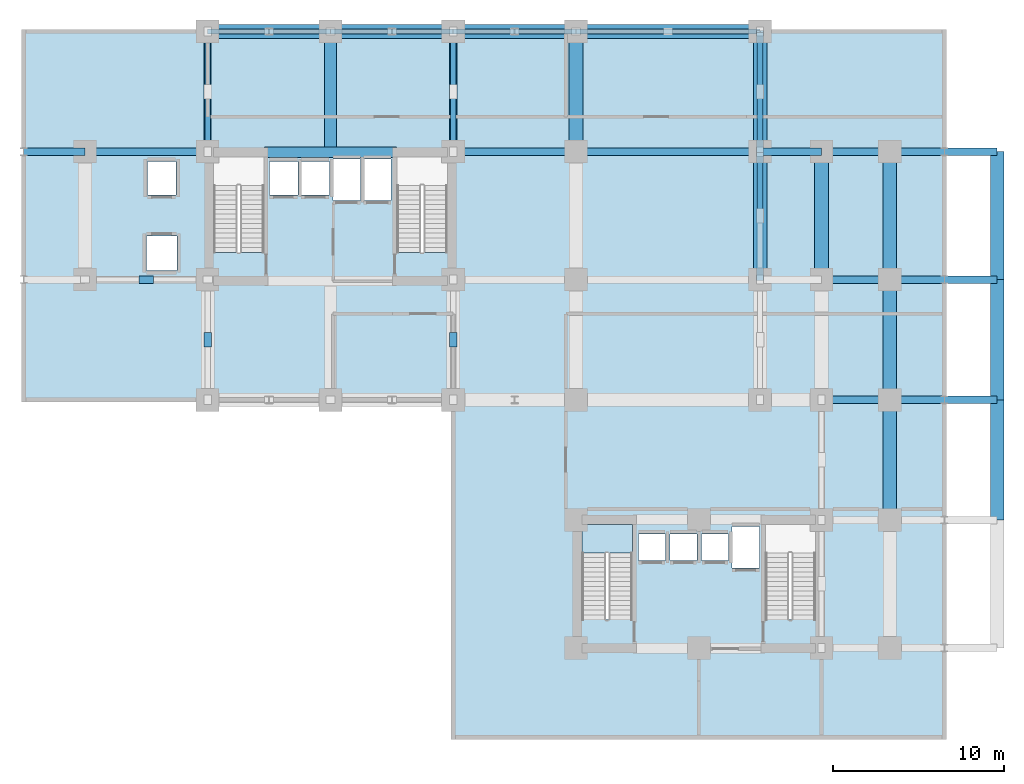
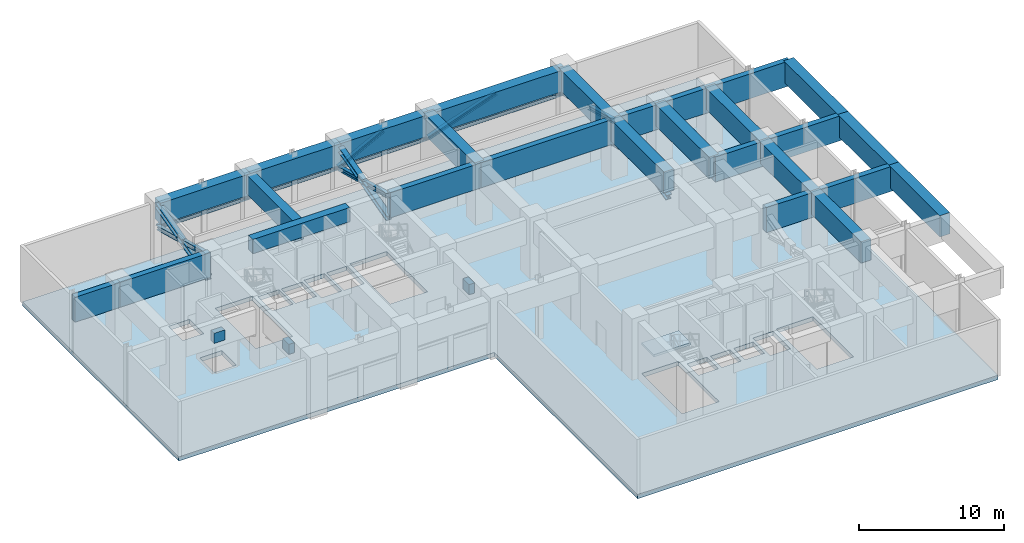
# One storey, part 2 of 8: 24 beams, 23 members, 3 plates, 2 slabs, 1 element without a shape of its own.
"""IFC4 building model written with IfcOpenShell, lengths in metres."""

from ifc_helpers import new_model, si_unit, direction, frame, origin, origin_2d, place, context, subcontext, project, spatial, polyline, rectangle, i_section, outline, extrude, source, transform, mapped, material, layer, layer_set, material_profile, profile_set, type_object, element, aggregate, save


model = new_model("IFC4")

# Units and contexts
model_context = context("Model", 3, precision=1e-05, world=origin(), true_north=direction((0.0, 1.0)))
body_context = subcontext(model_context, "Body", "Model", "MODEL_VIEW")
ifc_project = project(units=[si_unit("LENGTHUNIT", "METRE"), si_unit("AREAUNIT", "SQUARE_METRE"), si_unit("VOLUMEUNIT", "CUBIC_METRE"), si_unit("PLANEANGLEUNIT", "RADIAN"), si_unit("MASSUNIT", "GRAM", prefix="KILO")], contexts=[model_context])

# Site, building, storey
site_placement = place(None, origin())
site = spatial("IfcSite", under=ifc_project, at=site_placement, CompositionType="ELEMENT")
building_placement = place(site_placement, origin())
building = spatial("IfcBuilding", under=site, at=building_placement, Name="Kaliganga Portal Commons", CompositionType="ELEMENT")
storey_placement = place(building_placement, frame((0.0, 0.0, 73.39990234375)))
storey = spatial("IfcBuildingStorey", under=building, at=storey_placement, Name="L18", CompositionType="ELEMENT", Elevation=73.39990234375)

# Beams
ifc_material_1 = material(Name="Concrete C60/75", Category="concrete")
ifc_material_profile_1 = material_profile(ifc_material_1, rectangle(XDim=0.60009765625, YDim=1.199951171875, at=origin_2d()), Name="RC 600x1200")
ifc_profile_set_1 = profile_set([ifc_material_profile_1], Name="Concrete C60/75")
beam_type_1 = type_object("IfcBeamType", Name="BM-CPL-1200", PredefinedType="LINTEL", material=ifc_profile_set_1)
shared_shape_1 = source(origin(), body_context, "Body", "SweptSolid", [
    extrude(rectangle(XDim=0.60009765625, YDim=1.199951171875, at=origin_2d()), origin(), (0.0, 0.0, 1.0), 7.739990234375),
])
beam_1_placement = place(storey_placement, frame((17.72998046875, 36.125, 4.18017578125), z_axis=(1.0, 0.0, 0.0), x_axis=(0.0, 1.0, 0.0)))
element("IfcBeam", 1, at=beam_1_placement, inside=storey, type_object=beam_type_1, Name="BM CPL COREA L18 N", PredefinedType="LINTEL", context=body_context, shape_type="MappedRepresentation", body=[
    mapped(shared_shape_1, transform((0.0, 0.0, 0.0), x_axis=(1.0, 0.0, 0.0), y_axis=(0.0, 1.0, 0.0), z_axis=(0.0, 0.0, 1.0), scale=1.0)),
])
ifc_material_2 = material(Name="Concrete C70/85", Category="concrete")
ifc_material_profile_2 = material_profile(ifc_material_2, rectangle(XDim=0.800048828125, YDim=1.800048828125, at=origin_2d()), Name="RC 800x1800")
ifc_profile_set_2 = profile_set([ifc_material_profile_2], Name="Concrete C70/85")
beam_type_2 = type_object("IfcBeamType", Name="BM-XFER-1800", PredefinedType="T_BEAM", material=ifc_profile_set_2)
shared_shape_2 = source(origin(), body_context, "Body", "SweptSolid", [
    extrude(rectangle(XDim=0.800048828125, YDim=1.800048828125, at=origin_2d()), origin(), (0.0, 0.0, 1.0), 7.2001953125),
])
beam_2_placement = place(storey_placement, frame((14.39990234375, 43.199951171875, 3.880126953125), z_axis=(1.0, 0.0, 0.0), x_axis=(0.0, 1.0, 0.0)))
element("IfcBeam", 2, at=beam_2_placement, inside=storey, type_object=beam_type_2, Name="Transfer Girder BM XFER L18 AN 1", PredefinedType="T_BEAM", context=body_context, shape_type="MappedRepresentation", body=[
    mapped(shared_shape_2, transform((0.0, 0.0, 0.0), x_axis=(1.0, 0.0, 0.0), y_axis=(0.0, 1.0, 0.0), z_axis=(0.0, 0.0, 1.0), scale=1.0)),
])
shared_shape_3 = source(origin(), body_context, "Body", "SweptSolid", [
    extrude(rectangle(XDim=0.800048828125, YDim=1.800048828125, at=origin_2d()), origin(), (0.0, 0.0, 1.0), 7.199951171875),
])
for number, where, z_axis, x_axis, name in (
    (3, (21.60009765625, 43.199951171875, 3.880126953125), (1.0, 0.0, 0.0), (0.0, 1.0, 0.0), "Transfer Girder BM XFER L18 AN 2"),
    (4, (28.800048828125, 43.199951171875, 3.880126953125), (1.0, 0.0, 0.0), (0.0, 1.0, 0.0), "Transfer Girder BM XFER L18 AN 3"),
):
    element("IfcBeam", number, at=place(storey_placement, frame(where, z_axis=z_axis, x_axis=x_axis)), inside=storey, type_object=beam_type_2, Name=name, PredefinedType="T_BEAM", context=body_context, shape_type="MappedRepresentation", body=[
        mapped(shared_shape_3, transform((0.0, 0.0, 0.0), x_axis=(1.0, 0.0, 0.0), y_axis=(0.0, 1.0, 0.0), z_axis=(0.0, 0.0, 1.0), scale=1.0)),
    ])
shared_shape_4 = source(origin(), body_context, "Body", "SweptSolid", [
    extrude(rectangle(XDim=0.800048828125, YDim=1.800048828125, at=origin_2d()), origin(), (0.0, 0.0, 1.0), 10.800048828125),
])
beam_3_placement = place(storey_placement, frame((36.0, 43.199951171875, 3.880126953125), z_axis=(1.0, 0.0, 0.0), x_axis=(0.0, 1.0, 0.0)))
element("IfcBeam", 5, at=beam_3_placement, inside=storey, type_object=beam_type_2, Name="Transfer Girder BM XFER L18 AN 4", PredefinedType="T_BEAM", context=body_context, shape_type="MappedRepresentation", body=[
    mapped(shared_shape_4, transform((0.0, 0.0, 0.0), x_axis=(1.0, 0.0, 0.0), y_axis=(0.0, 1.0, 0.0), z_axis=(0.0, 0.0, 1.0), scale=1.0)),
])
ifc_material_profile_3 = material_profile(ifc_material_2, rectangle(XDim=0.43994140625, YDim=2.10009765625, at=origin_2d()), Name="RC 440x2100")
ifc_profile_set_3 = profile_set([ifc_material_profile_3], Name="Concrete C70/85")
beam_type_3 = type_object("IfcBeamType", Name="BM-XFER-SLIM", PredefinedType="T_BEAM", material=ifc_profile_set_3)
shared_shape_5 = source(origin(), body_context, "Body", "SweptSolid", [
    extrude(rectangle(XDim=0.43994140625, YDim=2.10009765625, at=origin_2d()), origin(), (0.0, 0.0, 1.0), 7.199951171875),
])
for number, where, z_axis, x_axis, name in (
    (6, (7.199951171875, 36.14990234375, 3.72998046875), (1.0, 0.0, 0.0), (0.0, 1.0, 0.0), "Transfer Girder BM XFER L18 WW2 2"),
    (7, (28.800048828125, 36.14990234375, 3.72998046875), (1.0, 0.0, 0.0), (0.0, 1.0, 0.0), "Transfer Girder BM XFER L18 WE2 1"),
):
    element("IfcBeam", number, at=place(storey_placement, frame(where, z_axis=z_axis, x_axis=x_axis)), inside=storey, type_object=beam_type_3, Name=name, PredefinedType="T_BEAM", context=body_context, shape_type="MappedRepresentation", body=[
        mapped(shared_shape_5, transform((0.0, 0.0, 0.0), x_axis=(1.0, 0.0, 0.0), y_axis=(0.0, 1.0, 0.0), z_axis=(0.0, 0.0, 1.0), scale=1.0)),
    ])
shared_shape_6 = source(origin(), body_context, "Body", "SweptSolid", [
    extrude(rectangle(XDim=0.43994140625, YDim=2.10009765625, at=origin_2d()), origin(), (0.0, 0.0, 1.0), 10.800048828125),
])
beam_4_placement = place(storey_placement, frame((36.0, 36.14990234375, 3.72998046875), z_axis=(1.0, 0.0, 0.0), x_axis=(0.0, 1.0, 0.0)))
element("IfcBeam", 8, at=beam_4_placement, inside=storey, type_object=beam_type_3, Name="Transfer Girder BM XFER L18 WE2 2", PredefinedType="T_BEAM", context=body_context, shape_type="MappedRepresentation", body=[
    mapped(shared_shape_6, transform((0.0, 0.0, 0.0), x_axis=(1.0, 0.0, 0.0), y_axis=(0.0, 1.0, 0.0), z_axis=(0.0, 0.0, 1.0), scale=1.0)),
])
shared_shape_7 = source(origin(), body_context, "Body", "SweptSolid", [
    extrude(rectangle(XDim=0.43994140625, YDim=2.10009765625, at=origin_2d()), origin(), (0.0, 0.0, 1.0), 3.599853515625),
])
for number, where, z_axis, x_axis, name in (
    (9, (3.60009765625, 36.14990234375, 3.72998046875), (1.0, 0.0, 0.0), (0.0, 1.0, 0.0), "Transfer Girder BM XFER L18 WW2 1"),
    (10, (46.800048828125, 36.14990234375, 3.72998046875), (1.0, 0.0, 0.0), (0.0, 1.0, 0.0), "Transfer Girder BM XFER L18 WE2 3"),
):
    element("IfcBeam", number, at=place(storey_placement, frame(where, z_axis=z_axis, x_axis=x_axis)), inside=storey, type_object=beam_type_3, Name=name, PredefinedType="T_BEAM", context=body_context, shape_type="MappedRepresentation", body=[
        mapped(shared_shape_7, transform((0.0, 0.0, 0.0), x_axis=(1.0, 0.0, 0.0), y_axis=(0.0, 1.0, 0.0), z_axis=(0.0, 0.0, 1.0), scale=1.0)),
    ])
shared_shape_8 = source(origin(), body_context, "Body", "SweptSolid", [
    extrude(rectangle(XDim=0.800048828125, YDim=1.800048828125, at=origin_2d()), origin(), (0.0, 0.0, 1.0), 7.5),
])
for number, where, z_axis, x_axis, name in (
    (11, (46.800048828125, 28.64990234375, 3.880126953125), (0.0, 1.0, 0.0), (-1.0, 0.0, 0.0), "Transfer Girder BM XFER L18 NS468 2"),
    (12, (50.39990234375, 28.64990234375, 3.880126953125), (0.0, 1.0, 0.0), (-1.0, 0.0, 0.0), "Transfer Girder BM XFER L18 NS504 4"),
    (13, (54.39990234375, 28.64990234375, 3.880126953125), (0.0, 1.0, 0.0), (-1.0, 0.0, 0.0), "Transfer Girder BM XFER L18 NS544 4"),
    (14, (60.699951171875, 28.64990234375, 3.880126953125), (0.0, 1.0, 0.0), (-1.0, 0.0, 0.0), "Transfer Girder BM XFER L18 NS607 4"),
):
    element("IfcBeam", number, at=place(storey_placement, frame(where, z_axis=z_axis, x_axis=x_axis)), inside=storey, type_object=beam_type_2, Name=name, PredefinedType="T_BEAM", context=body_context, shape_type="MappedRepresentation", body=[
        mapped(shared_shape_8, transform((0.0, 0.0, 0.0), x_axis=(1.0, 0.0, 0.0), y_axis=(0.0, 1.0, 0.0), z_axis=(0.0, 0.0, 1.0), scale=1.0)),
    ])
shared_shape_9 = source(origin(), body_context, "Body", "SweptSolid", [
    extrude(rectangle(XDim=0.800048828125, YDim=1.800048828125, at=origin_2d()), origin(), (0.0, 0.0, 1.0), 7.0498046875),
])
for number, where, z_axis, x_axis, name in (
    (15, (54.39990234375, 21.60009765625, 3.880126953125), (0.0, 1.0, 0.0), (-1.0, 0.0, 0.0), "Transfer Girder BM XFER L18 NS544 3"),
    (16, (60.699951171875, 21.60009765625, 3.880126953125), (0.0, 1.0, 0.0), (-1.0, 0.0, 0.0), "Transfer Girder BM XFER L18 NS607 3"),
):
    element("IfcBeam", number, at=place(storey_placement, frame(where, z_axis=z_axis, x_axis=x_axis)), inside=storey, type_object=beam_type_2, Name=name, PredefinedType="T_BEAM", context=body_context, shape_type="MappedRepresentation", body=[
        mapped(shared_shape_9, transform((0.0, 0.0, 0.0), x_axis=(1.0, 0.0, 0.0), y_axis=(0.0, 1.0, 0.0), z_axis=(0.0, 0.0, 1.0), scale=1.0)),
    ])
shared_shape_10 = source(origin(), body_context, "Body", "SweptSolid", [
    extrude(rectangle(XDim=0.800048828125, YDim=1.800048828125, at=origin_2d()), origin(), (0.0, 0.0, 1.0), 7.050048828125),
])
for number, where, z_axis, x_axis, name in (
    (17, (36.0, 36.14990234375, 3.880126953125), (0.0, 1.0, 0.0), (-1.0, 0.0, 0.0), "Transfer Girder BM XFER L18 NS360 5"),
    (18, (46.800048828125, 36.14990234375, 3.880126953125), (0.0, 1.0, 0.0), (-1.0, 0.0, 0.0), "Transfer Girder BM XFER L18 NS468 3"),
    (19, (54.39990234375, 14.550048828125, 3.880126953125), (0.0, 1.0, 0.0), (-1.0, 0.0, 0.0), "Transfer Girder BM XFER L18 NS544 2"),
    (20, (60.699951171875, 14.550048828125, 3.880126953125), (0.0, 1.0, 0.0), (-1.0, 0.0, 0.0), "Transfer Girder BM XFER L18 NS607 2"),
):
    element("IfcBeam", number, at=place(storey_placement, frame(where, z_axis=z_axis, x_axis=x_axis)), inside=storey, type_object=beam_type_2, Name=name, PredefinedType="T_BEAM", context=body_context, shape_type="MappedRepresentation", body=[
        mapped(shared_shape_10, transform((0.0, 0.0, 0.0), x_axis=(1.0, 0.0, 0.0), y_axis=(0.0, 1.0, 0.0), z_axis=(0.0, 0.0, 1.0), scale=1.0)),
    ])

# Members
ifc_material_3 = material(Name="Structural steel S460M", Category="steel")
ifc_material_profile_4 = material_profile(ifc_material_3, i_section(OverallWidth=0.300048828125, OverallDepth=0.2900390625, WebThickness=0.008544921875, FlangeThickness=0.013916015625, FilletRadius=0.027099609375, at=origin_2d()), Name="HE 300 A")
ifc_profile_set_4 = profile_set([ifc_material_profile_4], Name="Structural steel S460M wide-flange")
member_type_1 = type_object("IfcMemberType", Name="MBR-CHORD-300A", PredefinedType="CHORD", material=ifc_profile_set_4)
shared_shape_11 = source(origin(), body_context, "Body", "SweptSolid", [
    extrude(i_section(OverallWidth=0.300048828125, OverallDepth=0.2900390625, WebThickness=0.008544921875, FlangeThickness=0.013916015625, FilletRadius=0.027099609375, at=origin_2d()), origin(), (0.0, 0.0, 1.0), 7.2001953125),
])
member_1_placement = place(storey_placement, frame((14.39990234375, 43.199951171875, 2.550048828125), z_axis=(1.0, 0.0, 0.0), x_axis=(0.0, 1.0, 0.0)))
element("IfcMember", 21, at=member_1_placement, inside=storey, type_object=member_type_1, Name="Belt Truss Bottom Chord CHD-L18-01", PredefinedType="CHORD", context=body_context, shape_type="MappedRepresentation", body=[
    mapped(shared_shape_11, transform((0.0, 0.0, 0.0), x_axis=(1.0, 0.0, 0.0), y_axis=(0.0, 1.0, 0.0), z_axis=(0.0, 0.0, 1.0), scale=1.0)),
])
shared_shape_12 = source(origin(), body_context, "Body", "SweptSolid", [
    extrude(i_section(OverallWidth=0.300048828125, OverallDepth=0.2900390625, WebThickness=0.008544921875, FlangeThickness=0.013916015625, FilletRadius=0.027099609375, at=origin_2d()), origin(), (0.0, 0.0, 1.0), 7.199951171875),
])
for number, where, z_axis, x_axis, name in (
    (22, (21.60009765625, 43.199951171875, 2.550048828125), (1.0, 0.0, 0.0), (0.0, 1.0, 0.0), "Belt Truss Bottom Chord CHD-L18-02"),
    (23, (28.800048828125, 43.199951171875, 2.550048828125), (1.0, 0.0, 0.0), (0.0, 1.0, 0.0), "Belt Truss Bottom Chord CHD-L18-03"),
):
    element("IfcMember", number, at=place(storey_placement, frame(where, z_axis=z_axis, x_axis=x_axis)), inside=storey, type_object=member_type_1, Name=name, PredefinedType="CHORD", context=body_context, shape_type="MappedRepresentation", body=[
        mapped(shared_shape_12, transform((0.0, 0.0, 0.0), x_axis=(1.0, 0.0, 0.0), y_axis=(0.0, 1.0, 0.0), z_axis=(0.0, 0.0, 1.0), scale=1.0)),
    ])
shared_shape_13 = source(origin(), body_context, "Body", "SweptSolid", [
    extrude(i_section(OverallWidth=0.300048828125, OverallDepth=0.2900390625, WebThickness=0.008544921875, FlangeThickness=0.013916015625, FilletRadius=0.027099609375, at=origin_2d()), origin(), (0.0, 0.0, 1.0), 10.800048828125),
])
member_2_placement = place(storey_placement, frame((36.0, 43.199951171875, 2.550048828125), z_axis=(1.0, 0.0, 0.0), x_axis=(0.0, 1.0, 0.0)))
element("IfcMember", 24, at=member_2_placement, inside=storey, type_object=member_type_1, Name="Belt Truss Bottom Chord CHD-L18-04", PredefinedType="CHORD", context=body_context, shape_type="MappedRepresentation", body=[
    mapped(shared_shape_13, transform((0.0, 0.0, 0.0), x_axis=(1.0, 0.0, 0.0), y_axis=(0.0, 1.0, 0.0), z_axis=(0.0, 0.0, 1.0), scale=1.0)),
])

# Beams
shared_shape_14 = source(origin(), body_context, "Body", "SweptSolid", [
    extrude(rectangle(XDim=0.43994140625, YDim=2.10009765625, at=origin_2d()), origin(), (0.0, 0.0, 1.0), 10.300048828125),
])
for number, where, z_axis, x_axis, name in (
    (25, (50.39990234375, 21.60009765625, 3.72998046875), (1.0, 0.0, 0.0), (0.0, 1.0, 0.0), "Transfer Girder BM XFER L18 ASC"),
    (26, (50.39990234375, 28.64990234375, 3.72998046875), (1.0, 0.0, 0.0), (0.0, 1.0, 0.0), "Transfer Girder BM XFER L18 WEC1"),
    (27, (50.39990234375, 36.14990234375, 3.72998046875), (1.0, 0.0, 0.0), (0.0, 1.0, 0.0), "Transfer Girder BM XFER L18 WEC2"),
):
    element("IfcBeam", number, at=place(storey_placement, frame(where, z_axis=z_axis, x_axis=x_axis)), inside=storey, type_object=beam_type_3, Name=name, PredefinedType="T_BEAM", context=body_context, shape_type="MappedRepresentation", body=[
        mapped(shared_shape_14, transform((0.0, 0.0, 0.0), x_axis=(1.0, 0.0, 0.0), y_axis=(0.0, 1.0, 0.0), z_axis=(0.0, 0.0, 1.0), scale=1.0)),
    ])
ifc_material_profile_5 = material_profile(ifc_material_1, rectangle(XDim=0.699951171875, YDim=1.60009765625, at=origin_2d()), Name="RC 700x1600")
ifc_profile_set_5 = profile_set([ifc_material_profile_5], Name="Concrete C60/75")
beam_type_4 = type_object("IfcBeamType", Name="BM-XFER-1600", PredefinedType="T_BEAM", material=ifc_profile_set_5)
shared_shape_15 = source(origin(), body_context, "Body", "SweptSolid", [
    extrude(rectangle(XDim=0.699951171875, YDim=1.60009765625, at=origin_2d()), origin(), (0.0, 0.0, 1.0), 7.074951171875),
])
beam_5_placement = place(storey_placement, frame((21.60009765625, 36.125, 3.97998046875), z_axis=(0.0, 1.0, 0.0), x_axis=(-1.0, 0.0, 0.0)))
element("IfcBeam", 28, at=beam_5_placement, inside=storey, type_object=beam_type_4, Name="Transfer Girder BM XFER L18 CAN216", PredefinedType="T_BEAM", context=body_context, shape_type="MappedRepresentation", body=[
    mapped(shared_shape_15, transform((0.0, 0.0, 0.0), x_axis=(1.0, 0.0, 0.0), y_axis=(0.0, 1.0, 0.0), z_axis=(0.0, 0.0, 1.0), scale=1.0)),
])

# Members
ifc_material_profile_6 = material_profile(ifc_material_3, i_section(OverallWidth=0.300048828125, OverallDepth=0.360107421875, WebThickness=0.012451171875, FlangeThickness=0.0224609375, FilletRadius=0.027099609375, at=origin_2d()), Name="HE 360 B")
ifc_profile_set_6 = profile_set([ifc_material_profile_6], Name="Structural steel S460M wide-flange")
member_type_2 = type_object("IfcMemberType", Name="MBR-BELT-360", PredefinedType="BRACE", material=ifc_profile_set_6)
shared_shape_16 = source(origin(), body_context, "Body", "SweptSolid", [
    extrude(i_section(OverallWidth=0.300048828125, OverallDepth=0.360107421875, WebThickness=0.012451171875, FlangeThickness=0.0224609375, FilletRadius=0.027099609375, at=origin_2d()), origin(), (0.0, 0.0, 1.0), 3.648193359375),
])
for number, where, z_axis, x_axis, name in (
    (29, (14.39990234375, 39.675048828125, 3.489990234375), (0.0, 0.966237161082, -0.257654319862), (-1.0, 0.0, 0.0), "Outrigger Split Counter-Diagonal OT-L18-04B2"),
    (30, (28.800048828125, 39.675048828125, 3.489990234375), (0.0, 0.966237161082, -0.257654319862), (-1.0, 0.0, 0.0), "Outrigger Split Counter-Diagonal OT-L18-05B2"),
    (31, (46.800048828125, 39.675048828125, 3.489990234375), (0.0, 0.966237161082, -0.257654319862), (-1.0, 0.0, 0.0), "Outrigger Split Counter-Diagonal OT-L18-08B2"),
):
    element("IfcMember", number, at=place(storey_placement, frame(where, z_axis=z_axis, x_axis=x_axis)), inside=storey, type_object=member_type_2, Name=name, PredefinedType="BRACE", context=body_context, shape_type="MappedRepresentation", body=[
        mapped(shared_shape_16, transform((0.0, 0.0, 0.0), x_axis=(1.0, 0.0, 0.0), y_axis=(0.0, 1.0, 0.0), z_axis=(0.0, 0.0, 1.0), scale=1.0)),
    ])
ifc_material_profile_7 = material_profile(ifc_material_3, i_section(OverallWidth=0.412109375, OverallDepth=0.43798828125, WebThickness=0.02685546875, FlangeThickness=0.03662109375, FilletRadius=0.014892578125, at=origin_2d()), Name="HD 400x463")
ifc_profile_set_7 = profile_set([ifc_material_profile_7], Name="Structural steel S460M wide-flange")
member_type_3 = type_object("IfcMemberType", Name="MBR-OUTRIG-509", PredefinedType="USERDEFINED", material=ifc_profile_set_7)
shared_shape_17 = source(origin(), body_context, "Body", "SweptSolid", [
    extrude(i_section(OverallWidth=0.412109375, OverallDepth=0.43798828125, WebThickness=0.02685546875, FlangeThickness=0.03662109375, FilletRadius=0.014892578125, at=origin_2d()), origin(), (0.0, 0.0, 1.0), 7.29638671875),
])
for number, where, z_axis, x_axis, name in (
    (32, (14.39990234375, 36.14990234375, 2.550048828125), (0.0, 0.966231051996, 0.257677228639), (-1.0, 0.0, 0.0), "Outrigger Strut OT-L18-04A"),
    (33, (28.800048828125, 36.14990234375, 2.550048828125), (0.0, 0.966231051996, 0.257677228639), (-1.0, 0.0, 0.0), "Outrigger Strut OT-L18-05A"),
    (34, (46.800048828125, 36.14990234375, 2.550048828125), (0.0, 0.966231051996, 0.257677228639), (-1.0, 0.0, 0.0), "Outrigger Strut OT-L18-08A"),
):
    element("IfcMember", number, at=place(storey_placement, frame(where, z_axis=z_axis, x_axis=x_axis)), inside=storey, type_object=member_type_3, Name=name, ObjectType="OUTRIGGER", PredefinedType="USERDEFINED", context=body_context, shape_type="MappedRepresentation", body=[
        mapped(shared_shape_17, transform((0.0, 0.0, 0.0), x_axis=(1.0, 0.0, 0.0), y_axis=(0.0, 1.0, 0.0), z_axis=(0.0, 0.0, 1.0), scale=1.0)),
    ])
shared_shape_18 = source(origin(), body_context, "Body", "SweptSolid", [
    extrude(i_section(OverallWidth=0.300048828125, OverallDepth=0.360107421875, WebThickness=0.012451171875, FlangeThickness=0.0224609375, FilletRadius=0.027099609375, at=origin_2d()), origin(), (0.0, 0.0, 1.0), 3.6484375),
])
for number, where, z_axis, x_axis, name in (
    (35, (14.39990234375, 36.14990234375, 4.43017578125), (0.0, 0.966224942866, -0.257700135396), (-1.0, 0.0, 0.0), "Outrigger Split Counter-Diagonal OT-L18-04B1"),
    (36, (28.800048828125, 36.14990234375, 4.43017578125), (0.0, 0.966224942866, -0.257700135396), (-1.0, 0.0, 0.0), "Outrigger Split Counter-Diagonal OT-L18-05B1"),
    (37, (46.800048828125, 36.14990234375, 4.43017578125), (0.0, 0.966224942866, -0.257700135396), (-1.0, 0.0, 0.0), "Outrigger Split Counter-Diagonal OT-L18-08B1"),
):
    element("IfcMember", number, at=place(storey_placement, frame(where, z_axis=z_axis, x_axis=x_axis)), inside=storey, type_object=member_type_2, Name=name, PredefinedType="BRACE", context=body_context, shape_type="MappedRepresentation", body=[
        mapped(shared_shape_18, transform((0.0, 0.0, 0.0), x_axis=(1.0, 0.0, 0.0), y_axis=(0.0, 1.0, 0.0), z_axis=(0.0, 0.0, 1.0), scale=1.0)),
    ])
shared_shape_19 = source(origin(), body_context, "Body", "SweptSolid", [
    extrude(i_section(OverallWidth=0.412109375, OverallDepth=0.43798828125, WebThickness=0.02685546875, FlangeThickness=0.03662109375, FilletRadius=0.014892578125, at=origin_2d()), origin(), (0.0, 0.0, 1.0), 7.732177734375),
])
member_3_placement = place(storey_placement, frame((46.800048828125, 28.64990234375, 2.550048828125), z_axis=(0.0, 0.969986281405, 0.243159646911), x_axis=(-1.0, 0.0, 0.0)))
element("IfcMember", 38, at=member_3_placement, inside=storey, type_object=member_type_3, Name="Outrigger Strut OT-L18-07A", ObjectType="OUTRIGGER", PredefinedType="USERDEFINED", context=body_context, shape_type="MappedRepresentation", body=[
    mapped(shared_shape_19, transform((0.0, 0.0, 0.0), x_axis=(1.0, 0.0, 0.0), y_axis=(0.0, 1.0, 0.0), z_axis=(0.0, 0.0, 1.0), scale=1.0)),
])
shared_shape_20 = source(origin(), body_context, "Body", "SweptSolid", [
    extrude(i_section(OverallWidth=0.300048828125, OverallDepth=0.360107421875, WebThickness=0.012451171875, FlangeThickness=0.0224609375, FilletRadius=0.027099609375, at=origin_2d()), origin(), (0.0, 0.0, 1.0), 3.865966796875),
])
member_4_placement = place(storey_placement, frame((46.800048828125, 32.39990234375, 3.489990234375), z_axis=(0.0, 0.969993728352, -0.243129938422), x_axis=(-1.0, 0.0, 0.0)))
element("IfcMember", 39, at=member_4_placement, inside=storey, type_object=member_type_2, Name="Outrigger Split Counter-Diagonal OT-L18-07B2", PredefinedType="BRACE", context=body_context, shape_type="MappedRepresentation", body=[
    mapped(shared_shape_20, transform((0.0, 0.0, 0.0), x_axis=(1.0, 0.0, 0.0), y_axis=(0.0, 1.0, 0.0), z_axis=(0.0, 0.0, 1.0), scale=1.0)),
])
ifc_material_profile_8 = material_profile(ifc_material_3, i_section(OverallWidth=0.300048828125, OverallDepth=0.300048828125, WebThickness=0.010986328125, FlangeThickness=0.01904296875, FilletRadius=0.027099609375, at=origin_2d()), Name="HE 300 B")
ifc_profile_set_8 = profile_set([ifc_material_profile_8], Name="Structural steel S460M wide-flange")
member_type_4 = type_object("IfcMemberType", Name="MBR-BELT-300", PredefinedType="BRACE", material=ifc_profile_set_8)
shared_shape_21 = source(origin(), body_context, "Body", "SweptSolid", [
    extrude(i_section(OverallWidth=0.300048828125, OverallDepth=0.300048828125, WebThickness=0.010986328125, FlangeThickness=0.01904296875, FilletRadius=0.027099609375, at=origin_2d()), origin(), (0.0, 0.0, 1.0), 4.0615234375),
])
for number, where, z_axis, x_axis, name in (
    (40, (14.39990234375, 43.199951171875, 2.550048828125), (0.886401495107, 0.0, 0.462917259855), (0.0, 1.0, 0.0), "Belt Truss Diagonal BT-L18-01L"),
    (41, (21.60009765625, 43.199951171875, 2.550048828125), (-0.886401495107, 0.0, 0.462917259855), (0.0, -1.0, 0.0), "Belt Truss Diagonal BT-L18-01R"),
    (42, (28.800048828125, 43.199951171875, 2.550048828125), (-0.886401495107, 0.0, 0.462917259855), (0.0, -1.0, 0.0), "Belt Truss Diagonal BT-L18-02R"),
    (43, (36.0, 43.199951171875, 2.550048828125), (-0.886401495107, 0.0, 0.462917259855), (0.0, -1.0, 0.0), "Belt Truss Diagonal BT-L18-03R"),
):
    element("IfcMember", number, at=place(storey_placement, frame(where, z_axis=z_axis, x_axis=x_axis)), inside=storey, type_object=member_type_4, Name=name, PredefinedType="BRACE", context=body_context, shape_type="MappedRepresentation", body=[
        mapped(shared_shape_21, transform((0.0, 0.0, 0.0), x_axis=(1.0, 0.0, 0.0), y_axis=(0.0, 1.0, 0.0), z_axis=(0.0, 0.0, 1.0), scale=1.0)),
    ])
shared_shape_22 = source(origin(), body_context, "Body", "SweptSolid", [
    extrude(i_section(OverallWidth=0.300048828125, OverallDepth=0.300048828125, WebThickness=0.010986328125, FlangeThickness=0.01904296875, FilletRadius=0.027099609375, at=origin_2d()), origin(), (0.0, 0.0, 1.0), 4.061279296875),
])
for number, where, z_axis, x_axis, name in (
    (44, (21.60009765625, 43.199951171875, 2.550048828125), (0.88638861268, 0.0, 0.4629419265), (0.0, 1.0, 0.0), "Belt Truss Diagonal BT-L18-02L"),
    (45, (28.800048828125, 43.199951171875, 2.550048828125), (0.88638861268, 0.0, 0.4629419265), (0.0, 1.0, 0.0), "Belt Truss Diagonal BT-L18-03L"),
):
    element("IfcMember", number, at=place(storey_placement, frame(where, z_axis=z_axis, x_axis=x_axis)), inside=storey, type_object=member_type_4, Name=name, PredefinedType="BRACE", context=body_context, shape_type="MappedRepresentation", body=[
        mapped(shared_shape_22, transform((0.0, 0.0, 0.0), x_axis=(1.0, 0.0, 0.0), y_axis=(0.0, 1.0, 0.0), z_axis=(0.0, 0.0, 1.0), scale=1.0)),
    ])
shared_shape_23 = source(origin(), body_context, "Body", "SweptSolid", [
    extrude(i_section(OverallWidth=0.300048828125, OverallDepth=0.300048828125, WebThickness=0.010986328125, FlangeThickness=0.01904296875, FilletRadius=0.027099609375, at=origin_2d()), origin(), (0.0, 0.0, 1.0), 5.7177734375),
])
member_5_placement = place(storey_placement, frame((36.0, 43.199951171875, 2.550048828125), z_axis=(0.944393641436, 0.0, 0.328817046419), x_axis=(0.0, 1.0, 0.0)))
element("IfcMember", 46, at=member_5_placement, inside=storey, type_object=member_type_4, Name="Belt Truss Diagonal BT-L18-04L", PredefinedType="BRACE", context=body_context, shape_type="MappedRepresentation", body=[
    mapped(shared_shape_23, transform((0.0, 0.0, 0.0), x_axis=(1.0, 0.0, 0.0), y_axis=(0.0, 1.0, 0.0), z_axis=(0.0, 0.0, 1.0), scale=1.0)),
])
shared_shape_24 = source(origin(), body_context, "Body", "SweptSolid", [
    extrude(i_section(OverallWidth=0.300048828125, OverallDepth=0.300048828125, WebThickness=0.010986328125, FlangeThickness=0.01904296875, FilletRadius=0.027099609375, at=origin_2d()), origin(), (0.0, 0.0, 1.0), 5.718017578125),
])
member_6_placement = place(storey_placement, frame((46.800048828125, 43.199951171875, 2.550048828125), z_axis=(-0.944398257688, 0.0, 0.328803787805), x_axis=(0.0, -1.0, 0.0)))
element("IfcMember", 47, at=member_6_placement, inside=storey, type_object=member_type_4, Name="Belt Truss Diagonal BT-L18-04R", PredefinedType="BRACE", context=body_context, shape_type="MappedRepresentation", body=[
    mapped(shared_shape_24, transform((0.0, 0.0, 0.0), x_axis=(1.0, 0.0, 0.0), y_axis=(0.0, 1.0, 0.0), z_axis=(0.0, 0.0, 1.0), scale=1.0)),
])

# Slab
ifc_layer_1 = layer(ifc_material_1, 0.360107421875)
ifc_layer_set_1 = layer_set([ifc_layer_1], Name="Concrete C60/75")
slab_type_1 = type_object("IfcSlabType", Name="SLB-OUTRIG-360", PredefinedType="FLOOR", material=ifc_layer_set_1)
slab_1_placement = place(storey_placement, frame((0.0, 0.0, -0.35986328125)))
element("IfcSlab", 48, at=slab_1_placement, inside=storey, type_object=slab_type_1, Name="Structural Floor Slab L18", PredefinedType="FLOOR", context=body_context, shape_type="SweptSolid", body=[
    extrude(outline(polyline([(28.800048828125, 1.800048828125), (57.60009765625, 1.800048828125), (57.60009765625, 43.199951171875), (3.60009765625, 43.199951171875), (3.60009765625, 21.60009765625), (28.800048828125, 21.60009765625), (28.800048828125, 1.800048828125)]), holes=[polyline([(14.75, 30.25390625), (14.75, 35.85009765625), (17.699951171875, 35.85009765625), (17.699951171875, 30.25390625), (14.75, 30.25390625)]), polyline([(25.5, 30.25390625), (25.5, 35.85009765625), (28.449951171875, 35.85009765625), (28.449951171875, 30.25390625), (25.5, 30.25390625)]), polyline([(36.35009765625, 8.7041015625), (36.35009765625, 14.300048828125), (39.300048828125, 14.300048828125), (39.300048828125, 8.7041015625), (36.35009765625, 8.7041015625)]), polyline([(47.10009765625, 8.7041015625), (47.10009765625, 14.300048828125), (50.050048828125, 14.300048828125), (50.050048828125, 8.7041015625), (47.10009765625, 8.7041015625)]), polyline([(18.014892578125, 33.614990234375), (18.014892578125, 35.5849609375), (19.68505859375, 35.5849609375), (19.68505859375, 33.614990234375), (18.014892578125, 33.614990234375)]), polyline([(19.864990234375, 33.614990234375), (19.864990234375, 35.5849609375), (21.534912109375, 35.5849609375), (21.534912109375, 33.614990234375), (19.864990234375, 33.614990234375)]), polyline([(10.81494140625, 29.18994140625), (10.81494140625, 31.2099609375), (12.5849609375, 31.2099609375), (12.5849609375, 29.18994140625), (10.81494140625, 29.18994140625)]), polyline([(10.864990234375, 33.614990234375), (10.864990234375, 35.5849609375), (12.534912109375, 35.5849609375), (12.534912109375, 33.614990234375), (10.864990234375, 33.614990234375)]), polyline([(21.739990234375, 33.2900390625), (21.739990234375, 35.7099609375), (23.360107421875, 35.7099609375), (23.360107421875, 33.2900390625), (21.739990234375, 33.2900390625)]), polyline([(23.5400390625, 33.2900390625), (23.5400390625, 35.7099609375), (25.159912109375, 35.7099609375), (25.159912109375, 33.2900390625), (23.5400390625, 33.2900390625)]), polyline([(39.6650390625, 12.1650390625), (39.6650390625, 13.735107421875), (41.235107421875, 13.735107421875), (41.235107421875, 12.1650390625), (39.6650390625, 12.1650390625)]), polyline([(41.514892578125, 12.1650390625), (41.514892578125, 13.735107421875), (43.0849609375, 13.735107421875), (43.0849609375, 12.1650390625), (41.514892578125, 12.1650390625)]), polyline([(43.364990234375, 12.1650390625), (43.364990234375, 13.735107421875), (44.93505859375, 13.735107421875), (44.93505859375, 12.1650390625), (43.364990234375, 12.1650390625)]), polyline([(45.139892578125, 11.739990234375), (45.139892578125, 14.159912109375), (46.760009765625, 14.159912109375), (46.760009765625, 11.739990234375), (45.139892578125, 11.739990234375)])]), origin(), (0.0, 0.0, 1.0), 0.35986328125),
])

# Stair, slab
ifc_material_4 = material(Name="Concrete C40/50", Category="concrete")
stair_type = type_object("IfcStairType", Name="ST-CORE-DOGLEG", PredefinedType="HALF_TURN_STAIR", material=ifc_material_4)
stair_placement = place(storey_placement, origin())
stair = element("IfcStair", 49, at=stair_placement, inside=storey, type_object=stair_type, Name="L18 Protected Exit Stair ST-B1", PredefinedType="HALF_TURN_STAIR")
ifc_layer_2 = layer(ifc_material_4, 0.199951171875)
ifc_layer_set_2 = layer_set([ifc_layer_2], Name="Concrete C40/50")
slab_type_2 = type_object("IfcSlabType", Name="SLB-STAIR-LND", PredefinedType="LANDING", material=ifc_layer_set_2)
slab_2_placement = place(storey_placement, frame((0.0, 0.0, 2.400146484375)))
slab_2 = element("IfcSlab", 50, at=slab_2_placement, type_object=slab_type_2, Name="ST-B1 landing 1", PredefinedType="LANDING", context=body_context, shape_type="SweptSolid", body=[
    extrude(outline(polyline([(39.300048828125, 12.6201171875), (39.300048828125, 14.300048828125), (36.35009765625, 14.300048828125), (36.35009765625, 12.6201171875), (39.300048828125, 12.6201171875)])), origin(), (0.0, 0.0, 1.0), 0.199951171875),
])
aggregate(stair, [slab_2])

# Plates
ifc_layer_3 = layer(ifc_material_3, 0.0400390625)
ifc_layer_set_3 = layer_set([ifc_layer_3], Name="Structural steel S460M")
plate_type = type_object("IfcPlateType", Name="PLT-GUSSET-40", PredefinedType="USERDEFINED", material=ifc_layer_set_3)
shared_shape_25 = source(origin(), body_context, "Body", "SweptSolid", [
    extrude(rectangle(XDim=0.85009765625, YDim=0.43994140625, at=origin_2d()), origin(), (0.0, 0.0, 1.0), 0.85009765625),
])
for number, where, z_axis, x_axis, name in (
    (51, (10.800048828125, 28.64990234375, 3.06494140625), (0.0, 0.0, 1.0), (-1.0, 0.0, 0.0), "Outrigger Crossing Gusset Plate GP-L18-01"),
    (52, (14.39990234375, 25.125, 3.06494140625), (0.0, 0.0, 1.0), (0.0, -1.0, 0.0), "Outrigger Crossing Gusset Plate GP-L18-02"),
    (53, (28.800048828125, 25.125, 3.06494140625), (0.0, 0.0, 1.0), (0.0, -1.0, 0.0), "Outrigger Crossing Gusset Plate GP-L18-03"),
):
    element("IfcPlate", number, at=place(storey_placement, frame(where, z_axis=z_axis, x_axis=x_axis)), inside=storey, type_object=plate_type, Name=name, ObjectType="GUSSET PLATE", PredefinedType="USERDEFINED", context=body_context, shape_type="MappedRepresentation", body=[
        mapped(shared_shape_25, transform((0.0, 0.0, 0.0), x_axis=(1.0, 0.0, 0.0), y_axis=(0.0, 1.0, 0.0), z_axis=(0.0, 0.0, 1.0), scale=1.0)),
    ])

save(model, "model.ifc")
